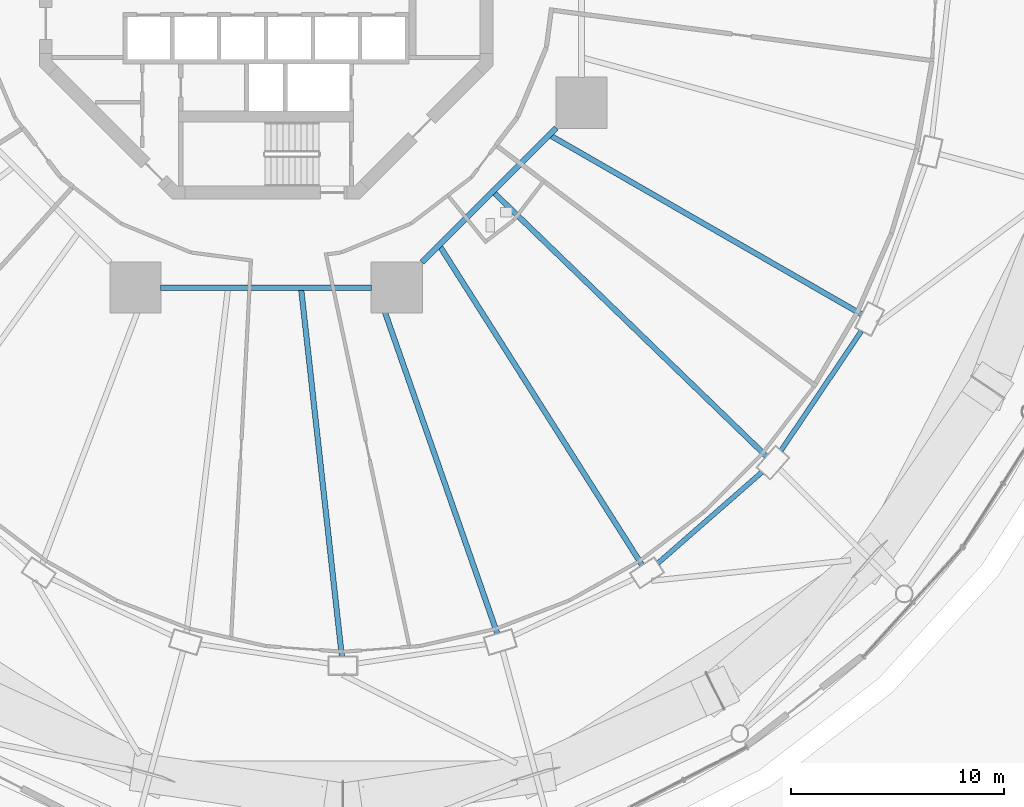
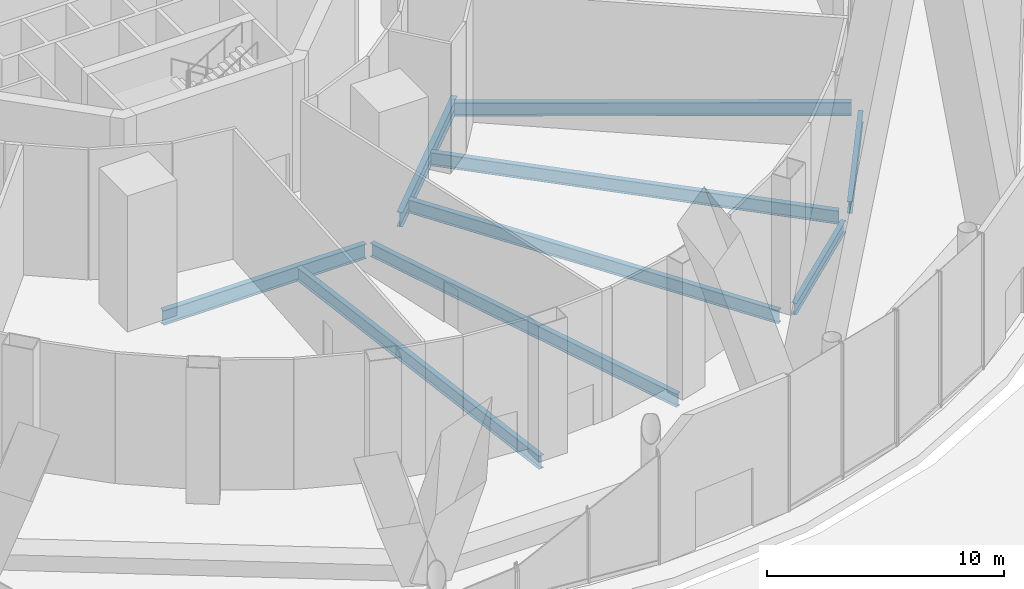
# One storey, part 21 of 67: 9 beams.
"""IFC4 building model written with IfcOpenShell, lengths in metres."""

import ifcopenshell
import ifcopenshell.guid

model = None  # the IFC model being written
_history = None  # IfcOwnerHistory: only IFC2X3 demands one
_inside = {}  # id of a spatial element -> (the spatial element, [elements in it])
_under = {}  # id of a project, library or spatial element -> (it, [spatial elements below it])
_declared = {}  # id of a project -> (the project, [libraries it declares])
_typed = {}  # id of a type object -> (the type object, [elements of that type])
_made_of = {}  # id of a material, layer set ... -> (it, [elements and type objects made of it])


def new_model(schema):
    """Start an empty IFC model of exactly this schema.

    Asked for "IFC4X3", IfcOpenShell would pick the latest addendum, in which some entities
    have other attributes; the version numbers below select the first issue.
    IFC2X3 requires an IfcOwnerHistory on every rooted entity: one is made here for all.
    """
    global model, _history
    if schema == "IFC4X3":
        model = ifcopenshell.file(schema_version=(4, 3, 0, 0))
    else:
        model = ifcopenshell.file(schema=schema)
    _inside.clear()
    _under.clear()
    _declared.clear()
    _typed.clear()
    _made_of.clear()
    _history = None
    if model.schema == "IFC2X3":
        org = make("IfcOrganization", Name="unknown")
        user = make(
            "IfcPersonAndOrganization",
            ThePerson=make("IfcPerson", FamilyName="unknown"),
            TheOrganization=org,
        )
        app = make(
            "IfcApplication",
            ApplicationDeveloper=org,
            Version="unknown",
            ApplicationFullName="unknown",
            ApplicationIdentifier="unknown",
        )
        _history = make(
            "IfcOwnerHistory",
            OwningUser=user,
            OwningApplication=app,
            ChangeAction="ADDED",
            CreationDate=0,
        )
    return model


def make(cls, **values):
    """One entity of the class cls with the attributes given. An attribute that is None is left unset."""
    return model.create_entity(
        cls, **{name: value for name, value in values.items() if value is not None}
    )


def rooted(cls, **values):
    """An entity with a GlobalId (a new one), such as an element, a storey or a relation."""
    return make(cls, GlobalId=ifcopenshell.guid.new(), OwnerHistory=_history, **values)


def si_unit(unit_type, name, prefix=None):
    """IfcSIUnit, for example si_unit("LENGTHUNIT", "METRE", prefix="MILLI")."""
    return make("IfcSIUnit", UnitType=unit_type, Prefix=prefix, Name=name)


def assignment(units):
    """IfcUnitAssignment: the units of a project."""
    return None if units is None else make("IfcUnitAssignment", Units=units)


def point(xyz):
    """IfcCartesianPoint."""
    return None if xyz is None else make("IfcCartesianPoint", Coordinates=xyz)


def direction(xyz):
    """IfcDirection."""
    return None if xyz is None else make("IfcDirection", DirectionRatios=xyz)


def frame(location, z_axis=None, x_axis=None):
    """IfcAxis2Placement3D, a coordinate frame: its origin and axes. An axis left out is left unset."""
    return make(
        "IfcAxis2Placement3D",
        Location=point(location),
        Axis=direction(z_axis),
        RefDirection=direction(x_axis),
    )


def frame_2d(location, x_axis=None):
    """IfcAxis2Placement2D, a coordinate frame in the plane: its origin and x axis."""
    return make(
        "IfcAxis2Placement2D", Location=point(location), RefDirection=direction(x_axis)
    )


def origin():
    """The frame at (0, 0, 0) with its axes left unset."""
    return frame((0.0, 0.0, 0.0))


def origin_2d():
    """The frame at (0, 0) in the plane with its x axis left unset."""
    return frame_2d((0.0, 0.0))


def place(relative_to, where):
    """IfcLocalPlacement: puts the frame where relative to a parent placement (None: the world)."""
    return make(
        "IfcLocalPlacement", PlacementRelTo=relative_to, RelativePlacement=where
    )


def context(
    kind, dimensions, precision=None, world=None, true_north=None, identifier=None
):
    """IfcGeometricRepresentationContext, for example the 3D "Model" context."""
    return make(
        "IfcGeometricRepresentationContext",
        ContextIdentifier=identifier,
        ContextType=kind,
        CoordinateSpaceDimension=dimensions,
        Precision=precision,
        WorldCoordinateSystem=world,
        TrueNorth=true_north,
    )


def subcontext(parent, identifier, kind, view, scale=None):
    """IfcGeometricRepresentationSubContext, for example "Body" below "Model"."""
    return make(
        "IfcGeometricRepresentationSubContext",
        ContextIdentifier=identifier,
        ContextType=kind,
        ParentContext=parent,
        TargetScale=scale,
        TargetView=view,
    )


def project(units=None, contexts=None):
    """IfcProject with its units and contexts."""
    return rooted(
        "IfcProject",
        Name="project",
        RepresentationContexts=contexts,
        UnitsInContext=assignment(units),
    )


def spatial(cls, under=None, at=None, **own):
    """A site, building, storey or space (cls), placed at a placement, below another one or the project."""
    s = rooted(cls, ObjectPlacement=at, **own)
    if under is not None:
        _under.setdefault(under.id(), (under, []))[1].append(s)
    return s


def profile(cls, at=None, kind="AREA", **sizes):
    """A parametric profile (cls). Its sizes go by their IFC names, for example OverallWidth=200.0."""
    return make(cls, ProfileType=kind, Position=at, **sizes)


def i_section(**sizes):
    """IfcIShapeProfileDef."""
    return profile("IfcIShapeProfileDef", **sizes)


def extrude(swept, where, along, depth):
    """IfcExtrudedAreaSolid: the profile swept, set in the frame where, extruded along a direction by depth."""
    return make(
        "IfcExtrudedAreaSolid",
        SweptArea=swept,
        Position=where,
        ExtrudedDirection=direction(along),
        Depth=depth,
    )


def shape(context_of_items, identifier, shape_type, items):
    """IfcShapeRepresentation: the items that make up one representation, for example the "Body"."""
    return make(
        "IfcShapeRepresentation",
        ContextOfItems=context_of_items,
        RepresentationIdentifier=identifier,
        RepresentationType=shape_type,
        Items=items,
    )


def material(Name=None, Category=None):
    """IfcMaterial."""
    return make("IfcMaterial", Name=Name, Category=Category)


def material_profile(
    of_material, cross_section, Name=None, Category=None, Priority=None
):
    """IfcMaterialProfile: a cross section and its material."""
    return make(
        "IfcMaterialProfile",
        Name=Name,
        Material=of_material,
        Profile=cross_section,
        Priority=Priority,
        Category=Category,
    )


def profile_set(profiles, Name=None, composite=None):
    """IfcMaterialProfileSet."""
    return make(
        "IfcMaterialProfileSet",
        Name=Name,
        MaterialProfiles=profiles,
        CompositeProfile=composite,
    )


def made_of(thing, what):
    """Note that an element or type object is made of a material, layer set ...; save() writes the relation."""
    if what is not None:
        _made_of.setdefault(what.id(), (what, []))[1].append(thing)
    return thing


def type_object(cls, material=None, **own):
    """A type object (cls), such as IfcWallType, which elements share."""
    return made_of(rooted(cls, **own), material)


def element(
    cls,
    number,
    at=None,
    inside=None,
    cuts=None,
    type_object=None,
    material=None,
    context=None,
    identifier="Body",
    shape_type=None,
    held_by="IfcProductDefinitionShape",
    body=None,
    shapes=None,
    **own,
):
    """One element of the class cls, such as IfcWall. Its Tag is "e" and its number.

    at: its placement. inside: the storey or other place that contains it. cuts: it is an
    opening in that element (IfcRelVoidsElement). A single representation is given by context,
    identifier, shape_type and body (its items); several are given by shapes. held_by: the class
    of the entity that holds the representations. save() writes the other relations.
    """
    e = rooted(cls, Tag="e%d" % number, ObjectPlacement=at, **own)
    if body is not None:
        shapes = [shape(context, identifier, shape_type, body)]
    if shapes is not None:
        e.Representation = make(held_by, Representations=shapes)
    if inside is not None:
        _inside.setdefault(inside.id(), (inside, []))[1].append(e)
    if cuts is not None:
        rooted(
            "IfcRelVoidsElement", RelatingBuildingElement=cuts, RelatedOpeningElement=e
        )
    if type_object is not None:
        _typed.setdefault(type_object.id(), (type_object, []))[1].append(e)
    return made_of(e, material)


def aggregate(whole, parts):
    """IfcRelAggregates: a whole, such as a stair, and the parts it consists of."""
    return rooted("IfcRelAggregates", RelatingObject=whole, RelatedObjects=parts)


def save(model, path):
    """Write the relations noted so far, then the file.

    IfcRelAggregates (storeys below a building ...), IfcRelContainedInSpatialStructure (elements
    in a storey), IfcRelDefinesByType, IfcRelAssociatesMaterial and IfcRelDeclares: one each for
    every whole, place, type object, material and project.
    """
    for whole, parts in _under.values():
        aggregate(whole, parts)
    for where, things in _inside.values():
        rooted(
            "IfcRelContainedInSpatialStructure",
            RelatedElements=things,
            RelatingStructure=where,
        )
    for kind, things in _typed.values():
        rooted("IfcRelDefinesByType", RelatedObjects=things, RelatingType=kind)
    for what, things in _made_of.values():
        rooted("IfcRelAssociatesMaterial", RelatedObjects=things, RelatingMaterial=what)
    for by, libraries in _declared.values():
        rooted("IfcRelDeclares", RelatingContext=by, RelatedDefinitions=libraries)
    model.write(path)


model = new_model("IFC4")

# Units and contexts
model_context = context("Model", 3, precision=1e-05, world=origin(), true_north=direction((0.0, 1.0)))
body_context = subcontext(model_context, "Body", "Model", "MODEL_VIEW")
ifc_project = project(units=[si_unit("LENGTHUNIT", "METRE"), si_unit("AREAUNIT", "SQUARE_METRE"), si_unit("VOLUMEUNIT", "CUBIC_METRE"), si_unit("PLANEANGLEUNIT", "RADIAN"), si_unit("MASSUNIT", "GRAM", prefix="KILO")], contexts=[model_context])

# Site, building, storey
site_placement = place(None, origin())
site = spatial("IfcSite", under=ifc_project, at=site_placement, CompositionType="ELEMENT")
building_placement = place(site_placement, origin())
building = spatial("IfcBuilding", under=site, at=building_placement, Name="Nagisa Residences", CompositionType="ELEMENT")
storey_placement = place(building_placement, origin())
storey = spatial("IfcBuildingStorey", under=building, at=storey_placement, Name="L00", CompositionType="ELEMENT", Elevation=0.0)

# Beams
ifc_material_1 = material(Name="Steel ASTM A572 Gr 50", Category="steel")
ifc_material_profile_1 = material_profile(ifc_material_1, i_section(OverallWidth=0.264892578125, OverallDepth=0.7529296875, WebThickness=0.01318359375, FlangeThickness=0.01708984375, at=origin_2d()), Name="W760x147")
ifc_profile_set_1 = profile_set([ifc_material_profile_1], Name="Steel ASTM A572 Gr 50")
beam_type_1 = type_object("IfcBeamType", Name="Inner ring beam W760x147", PredefinedType="BEAM", material=ifc_profile_set_1)
beam_1_placement = place(storey_placement, frame((-4.94287109375, -14.781982421875, -0.776611328125), z_axis=(1.0, 0.0, 0.0), x_axis=(0.0, 1.0, 0.0)))
element("IfcBeam", 1, at=beam_1_placement, inside=storey, type_object=beam_type_1, Name="beam:L00:ib6", PredefinedType="BEAM", context=body_context, shape_type="SweptSolid", body=[
    extrude(i_section(OverallWidth=0.264892578125, OverallDepth=0.7529296875, WebThickness=0.01318359375, FlangeThickness=0.01708984375, at=origin_2d()), origin(), (0.0, 0.0, 1.0), 9.8857421875),
])
beam_2_placement = place(storey_placement, frame((7.308837890625, -13.59619140625, -0.776611328125), z_axis=(0.707106781187, 0.707106781187, 0.0), x_axis=(-0.707106781187, 0.707106781187, 0.0)))
element("IfcBeam", 2, at=beam_2_placement, inside=storey, type_object=beam_type_1, Name="beam:L00:ib7", PredefinedType="BEAM", context=body_context, shape_type="SweptSolid", body=[
    extrude(i_section(OverallWidth=0.264892578125, OverallDepth=0.7529296875, WebThickness=0.01318359375, FlangeThickness=0.01708984375, at=origin_2d()), origin(), (0.0, 0.0, 1.0), 8.8916015625),
])
ifc_material_2 = material(Name="Steel ASTM A572 Gr 50", Category="steel")
ifc_material_profile_2 = material_profile(ifc_material_2, i_section(OverallWidth=0.22802734375, OverallDepth=0.60302734375, WebThickness=0.010498046875, FlangeThickness=0.014892578125, at=origin_2d()), Name="W610x101")
ifc_profile_set_2 = profile_set([ifc_material_profile_2], Name="Steel ASTM A572 Gr 50")
beam_type_2 = type_object("IfcBeamType", Name="Perimeter ring beam W610x101", PredefinedType="BEAM", material=ifc_profile_set_2)
beam_3_placement = place(storey_placement, frame((18.36669921875, -27.693603515625, -0.701416015625), z_axis=(0.7525907186, 0.658488580217, 0.0), x_axis=(-0.658488580217, 0.7525907186, 0.0)))
element("IfcBeam", 3, at=beam_3_placement, inside=storey, type_object=beam_type_2, Name="beam:L00:pb21", PredefinedType="BEAM", context=body_context, shape_type="SweptSolid", body=[
    extrude(i_section(OverallWidth=0.22802734375, OverallDepth=0.60302734375, WebThickness=0.010498046875, FlangeThickness=0.014892578125, at=origin_2d()), origin(), (0.0, 0.0, 1.0), 6.470458984375),
])
beam_4_placement = place(storey_placement, frame((24.135498046875, -22.411865234375, -0.701416015625), z_axis=(0.558271879663, 0.829658067144, 0.0), x_axis=(-0.829658067144, 0.558271879663, 0.0)))
element("IfcBeam", 4, at=beam_4_placement, inside=storey, type_object=beam_type_2, Name="beam:L00:pb22", PredefinedType="BEAM", context=body_context, shape_type="SweptSolid", body=[
    extrude(i_section(OverallWidth=0.22802734375, OverallDepth=0.60302734375, WebThickness=0.010498046875, FlangeThickness=0.014892578125, at=origin_2d()), origin(), (0.0, 0.0, 1.0), 6.74169921875),
])
ifc_material_3 = material(Name="Steel ASTM A572 Gr 50", Category="steel")
ifc_material_profile_3 = material_profile(ifc_material_3, i_section(OverallWidth=0.25390625, OverallDepth=0.68408203125, WebThickness=0.012451171875, FlangeThickness=0.018798828125, at=origin_2d()), Name="W690x140")
ifc_profile_set_3 = profile_set([ifc_material_profile_3], Name="Steel ASTM A572 Gr 50")
beam_type_3 = type_object("IfcBeamType", Name="Radial beam W690x140", PredefinedType="BEAM", material=ifc_profile_set_3)
beam_5_placement = place(storey_placement, frame((3.55224609375, -32.06982421875, -0.741943359375), z_axis=(-0.110088818647, 0.993921753464, 0.0), x_axis=(-0.993921753464, -0.110088818647, 0.0)))
element("IfcBeam", 5, at=beam_5_placement, inside=storey, type_object=beam_type_3, Name="beam:L00:rb19", PredefinedType="BEAM", context=body_context, shape_type="SweptSolid", body=[
    extrude(i_section(OverallWidth=0.25390625, OverallDepth=0.68408203125, WebThickness=0.012451171875, FlangeThickness=0.018798828125, at=origin_2d()), origin(), (0.0, 0.0, 1.0), 17.280029296875),
])
beam_6_placement = place(storey_placement, frame((10.834228515625, -30.986328125, -0.741943359375), z_axis=(-0.330051195485, 0.943963033364, 0.0), x_axis=(-0.943963033364, -0.330051195485, 0.0)))
element("IfcBeam", 6, at=beam_6_placement, inside=storey, type_object=beam_type_3, Name="beam:L00:rb20", PredefinedType="BEAM", context=body_context, shape_type="SweptSolid", body=[
    extrude(i_section(OverallWidth=0.25390625, OverallDepth=0.68408203125, WebThickness=0.012451171875, FlangeThickness=0.018798828125, at=origin_2d()), origin(), (0.0, 0.0, 1.0), 17.045654296875),
])
beam_7_placement = place(storey_placement, frame((17.61962890625, -27.78271484375, -0.741943359375), z_axis=(-0.53556610664, 0.844493306911, 0.0), x_axis=(-0.844493306911, -0.53556610664, 0.0)))
element("IfcBeam", 7, at=beam_7_placement, inside=storey, type_object=beam_type_3, Name="beam:L00:rb21", PredefinedType="BEAM", context=body_context, shape_type="SweptSolid", body=[
    extrude(i_section(OverallWidth=0.25390625, OverallDepth=0.68408203125, WebThickness=0.012451171875, FlangeThickness=0.018798828125, at=origin_2d()), origin(), (0.0, 0.0, 1.0), 17.63525390625),
])
beam_8_placement = place(storey_placement, frame((23.443115234375, -22.681640625, -0.741943359375), z_axis=(-0.718678305776, 0.695342716081, 0.0), x_axis=(-0.695342716081, -0.718678305776, 0.0)))
element("IfcBeam", 8, at=beam_8_placement, inside=storey, type_object=beam_type_3, Name="beam:L00:rb22", PredefinedType="BEAM", context=body_context, shape_type="SweptSolid", body=[
    extrude(i_section(OverallWidth=0.25390625, OverallDepth=0.68408203125, WebThickness=0.012451171875, FlangeThickness=0.018798828125, at=origin_2d()), origin(), (0.0, 0.0, 1.0), 17.722900390625),
])
beam_9_placement = place(storey_placement, frame((27.908447265625, -16.035400390625, -0.741943359375), z_axis=(-0.867068052258, 0.498189715623, 0.0), x_axis=(-0.498189715623, -0.867068052258, 0.0)))
element("IfcBeam", 9, at=beam_9_placement, inside=storey, type_object=beam_type_3, Name="beam:L00:rb23", PredefinedType="BEAM", context=body_context, shape_type="SweptSolid", body=[
    extrude(i_section(OverallWidth=0.25390625, OverallDepth=0.68408203125, WebThickness=0.012451171875, FlangeThickness=0.018798828125, at=origin_2d()), origin(), (0.0, 0.0, 1.0), 16.758056640625),
])

save(model, "model.ifc")
